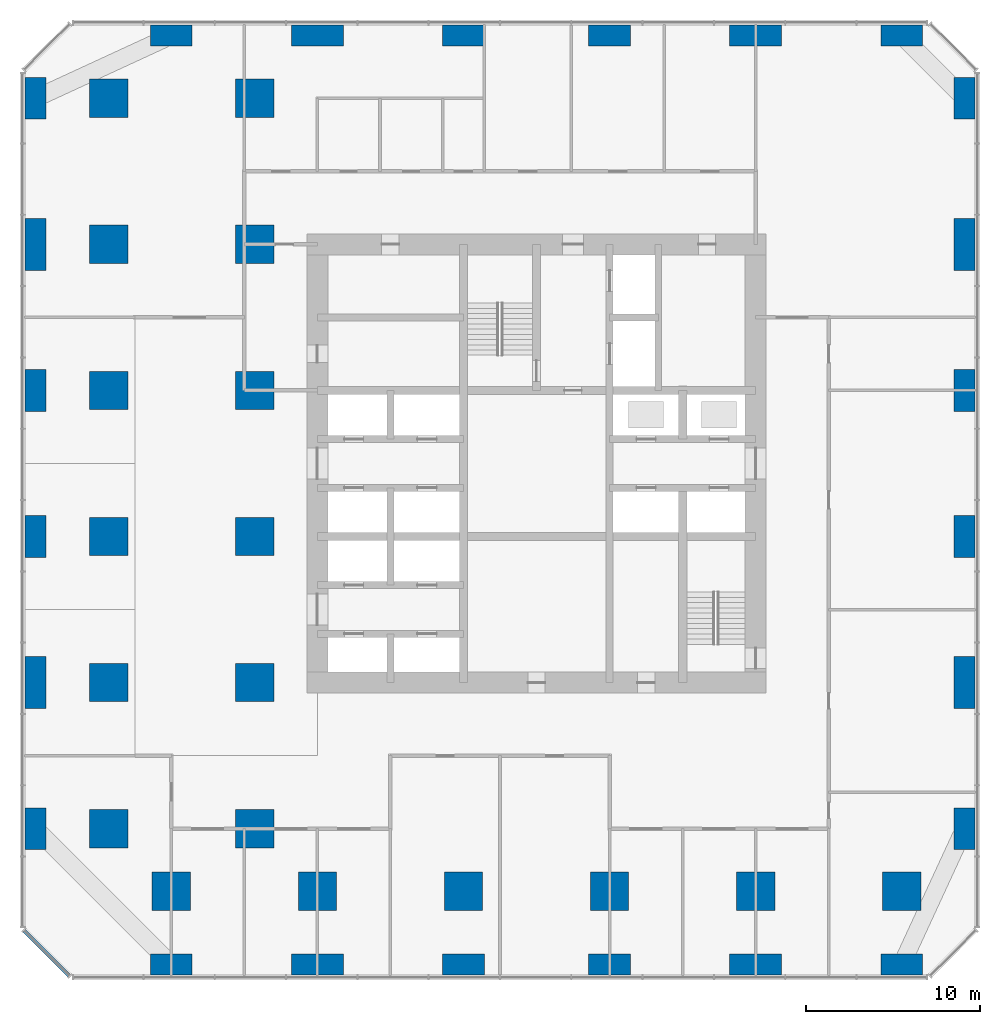
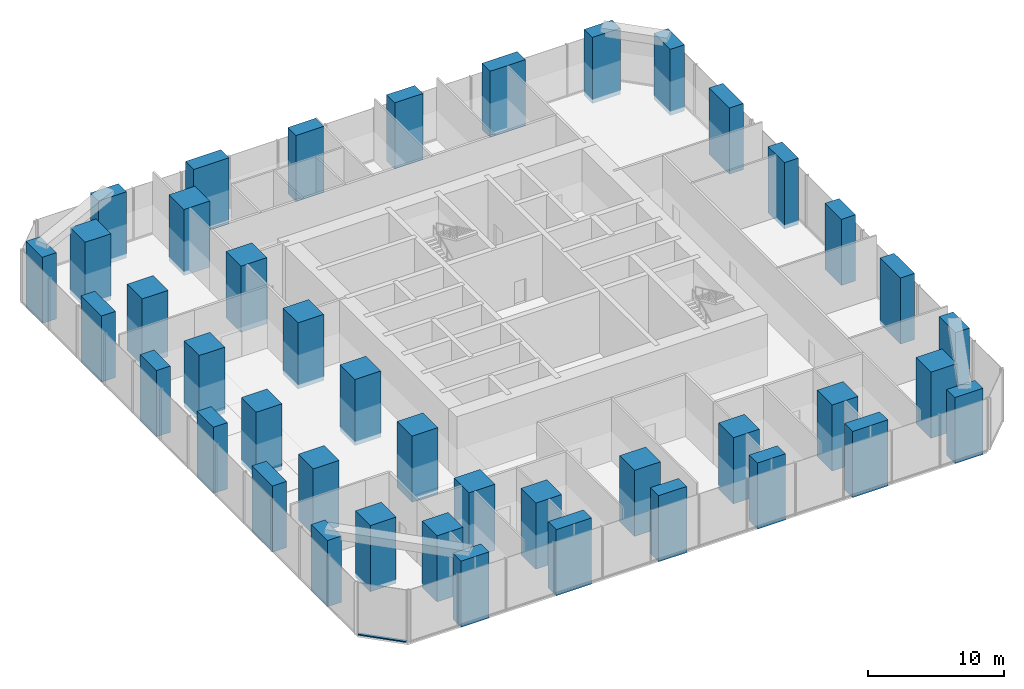
# One storey, part 1 of 13: 42 columns, 1 member, 1 element without a shape of its own.
"""IFC4 building model written with IfcOpenShell, lengths in metres."""

import ifcopenshell
import ifcopenshell.guid

model = None  # the IFC model being written
_history = None  # IfcOwnerHistory: only IFC2X3 demands one
_inside = {}  # id of a spatial element -> (the spatial element, [elements in it])
_under = {}  # id of a project, library or spatial element -> (it, [spatial elements below it])
_declared = {}  # id of a project -> (the project, [libraries it declares])
_typed = {}  # id of a type object -> (the type object, [elements of that type])
_made_of = {}  # id of a material, layer set ... -> (it, [elements and type objects made of it])


def new_model(schema):
    """Start an empty IFC model of exactly this schema.

    Asked for "IFC4X3", IfcOpenShell would pick the latest addendum, in which some entities
    have other attributes; the version numbers below select the first issue.
    IFC2X3 requires an IfcOwnerHistory on every rooted entity: one is made here for all.
    """
    global model, _history
    if schema == "IFC4X3":
        model = ifcopenshell.file(schema_version=(4, 3, 0, 0))
    else:
        model = ifcopenshell.file(schema=schema)
    _inside.clear()
    _under.clear()
    _declared.clear()
    _typed.clear()
    _made_of.clear()
    _history = None
    if model.schema == "IFC2X3":
        org = make("IfcOrganization", Name="unknown")
        user = make(
            "IfcPersonAndOrganization",
            ThePerson=make("IfcPerson", FamilyName="unknown"),
            TheOrganization=org,
        )
        app = make(
            "IfcApplication",
            ApplicationDeveloper=org,
            Version="unknown",
            ApplicationFullName="unknown",
            ApplicationIdentifier="unknown",
        )
        _history = make(
            "IfcOwnerHistory",
            OwningUser=user,
            OwningApplication=app,
            ChangeAction="ADDED",
            CreationDate=0,
        )
    return model


def make(cls, **values):
    """One entity of the class cls with the attributes given. An attribute that is None is left unset."""
    return model.create_entity(
        cls, **{name: value for name, value in values.items() if value is not None}
    )


def rooted(cls, **values):
    """An entity with a GlobalId (a new one), such as an element, a storey or a relation."""
    return make(cls, GlobalId=ifcopenshell.guid.new(), OwnerHistory=_history, **values)


def si_unit(unit_type, name, prefix=None):
    """IfcSIUnit, for example si_unit("LENGTHUNIT", "METRE", prefix="MILLI")."""
    return make("IfcSIUnit", UnitType=unit_type, Prefix=prefix, Name=name)


def assignment(units):
    """IfcUnitAssignment: the units of a project."""
    return None if units is None else make("IfcUnitAssignment", Units=units)


def point(xyz):
    """IfcCartesianPoint."""
    return None if xyz is None else make("IfcCartesianPoint", Coordinates=xyz)


def direction(xyz):
    """IfcDirection."""
    return None if xyz is None else make("IfcDirection", DirectionRatios=xyz)


def frame(location, z_axis=None, x_axis=None):
    """IfcAxis2Placement3D, a coordinate frame: its origin and axes. An axis left out is left unset."""
    return make(
        "IfcAxis2Placement3D",
        Location=point(location),
        Axis=direction(z_axis),
        RefDirection=direction(x_axis),
    )


def frame_2d(location, x_axis=None):
    """IfcAxis2Placement2D, a coordinate frame in the plane: its origin and x axis."""
    return make(
        "IfcAxis2Placement2D", Location=point(location), RefDirection=direction(x_axis)
    )


def origin():
    """The frame at (0, 0, 0) with its axes left unset."""
    return frame((0.0, 0.0, 0.0))


def origin_2d():
    """The frame at (0, 0) in the plane with its x axis left unset."""
    return frame_2d((0.0, 0.0))


def place(relative_to, where):
    """IfcLocalPlacement: puts the frame where relative to a parent placement (None: the world)."""
    return make(
        "IfcLocalPlacement", PlacementRelTo=relative_to, RelativePlacement=where
    )


def context(
    kind, dimensions, precision=None, world=None, true_north=None, identifier=None
):
    """IfcGeometricRepresentationContext, for example the 3D "Model" context."""
    return make(
        "IfcGeometricRepresentationContext",
        ContextIdentifier=identifier,
        ContextType=kind,
        CoordinateSpaceDimension=dimensions,
        Precision=precision,
        WorldCoordinateSystem=world,
        TrueNorth=true_north,
    )


def subcontext(parent, identifier, kind, view, scale=None):
    """IfcGeometricRepresentationSubContext, for example "Body" below "Model"."""
    return make(
        "IfcGeometricRepresentationSubContext",
        ContextIdentifier=identifier,
        ContextType=kind,
        ParentContext=parent,
        TargetScale=scale,
        TargetView=view,
    )


def project(units=None, contexts=None):
    """IfcProject with its units and contexts."""
    return rooted(
        "IfcProject",
        Name="project",
        RepresentationContexts=contexts,
        UnitsInContext=assignment(units),
    )


def spatial(cls, under=None, at=None, **own):
    """A site, building, storey or space (cls), placed at a placement, below another one or the project."""
    s = rooted(cls, ObjectPlacement=at, **own)
    if under is not None:
        _under.setdefault(under.id(), (under, []))[1].append(s)
    return s


def profile(cls, at=None, kind="AREA", **sizes):
    """A parametric profile (cls). Its sizes go by their IFC names, for example OverallWidth=200.0."""
    return make(cls, ProfileType=kind, Position=at, **sizes)


def rectangle(**sizes):
    """IfcRectangleProfileDef."""
    return profile("IfcRectangleProfileDef", **sizes)


def extrude(swept, where, along, depth):
    """IfcExtrudedAreaSolid: the profile swept, set in the frame where, extruded along a direction by depth."""
    return make(
        "IfcExtrudedAreaSolid",
        SweptArea=swept,
        Position=where,
        ExtrudedDirection=direction(along),
        Depth=depth,
    )


def shape(context_of_items, identifier, shape_type, items):
    """IfcShapeRepresentation: the items that make up one representation, for example the "Body"."""
    return make(
        "IfcShapeRepresentation",
        ContextOfItems=context_of_items,
        RepresentationIdentifier=identifier,
        RepresentationType=shape_type,
        Items=items,
    )


def material(Name=None, Category=None):
    """IfcMaterial."""
    return make("IfcMaterial", Name=Name, Category=Category)


def material_profile(
    of_material, cross_section, Name=None, Category=None, Priority=None
):
    """IfcMaterialProfile: a cross section and its material."""
    return make(
        "IfcMaterialProfile",
        Name=Name,
        Material=of_material,
        Profile=cross_section,
        Priority=Priority,
        Category=Category,
    )


def profile_set(profiles, Name=None, composite=None):
    """IfcMaterialProfileSet."""
    return make(
        "IfcMaterialProfileSet",
        Name=Name,
        MaterialProfiles=profiles,
        CompositeProfile=composite,
    )


def made_of(thing, what):
    """Note that an element or type object is made of a material, layer set ...; save() writes the relation."""
    if what is not None:
        _made_of.setdefault(what.id(), (what, []))[1].append(thing)
    return thing


def type_object(cls, material=None, **own):
    """A type object (cls), such as IfcWallType, which elements share."""
    return made_of(rooted(cls, **own), material)


def element(
    cls,
    number,
    at=None,
    inside=None,
    cuts=None,
    type_object=None,
    material=None,
    context=None,
    identifier="Body",
    shape_type=None,
    held_by="IfcProductDefinitionShape",
    body=None,
    shapes=None,
    **own,
):
    """One element of the class cls, such as IfcWall. Its Tag is "e" and its number.

    at: its placement. inside: the storey or other place that contains it. cuts: it is an
    opening in that element (IfcRelVoidsElement). A single representation is given by context,
    identifier, shape_type and body (its items); several are given by shapes. held_by: the class
    of the entity that holds the representations. save() writes the other relations.
    """
    e = rooted(cls, Tag="e%d" % number, ObjectPlacement=at, **own)
    if body is not None:
        shapes = [shape(context, identifier, shape_type, body)]
    if shapes is not None:
        e.Representation = make(held_by, Representations=shapes)
    if inside is not None:
        _inside.setdefault(inside.id(), (inside, []))[1].append(e)
    if cuts is not None:
        rooted(
            "IfcRelVoidsElement", RelatingBuildingElement=cuts, RelatedOpeningElement=e
        )
    if type_object is not None:
        _typed.setdefault(type_object.id(), (type_object, []))[1].append(e)
    return made_of(e, material)


def aggregate(whole, parts):
    """IfcRelAggregates: a whole, such as a stair, and the parts it consists of."""
    return rooted("IfcRelAggregates", RelatingObject=whole, RelatedObjects=parts)


def save(model, path):
    """Write the relations noted so far, then the file.

    IfcRelAggregates (storeys below a building ...), IfcRelContainedInSpatialStructure (elements
    in a storey), IfcRelDefinesByType, IfcRelAssociatesMaterial and IfcRelDeclares: one each for
    every whole, place, type object, material and project.
    """
    for whole, parts in _under.values():
        aggregate(whole, parts)
    for where, things in _inside.values():
        rooted(
            "IfcRelContainedInSpatialStructure",
            RelatedElements=things,
            RelatingStructure=where,
        )
    for kind, things in _typed.values():
        rooted("IfcRelDefinesByType", RelatedObjects=things, RelatingType=kind)
    for what, things in _made_of.values():
        rooted("IfcRelAssociatesMaterial", RelatedObjects=things, RelatingMaterial=what)
    for by, libraries in _declared.values():
        rooted("IfcRelDeclares", RelatingContext=by, RelatedDefinitions=libraries)
    model.write(path)


model = new_model("IFC4")

# Units and contexts
model_context = context("Model", 3, precision=1e-05, world=origin(), true_north=direction((0.0, 1.0)))
body_context = subcontext(model_context, "Body", "Model", "MODEL_VIEW")
ifc_project = project(units=[si_unit("LENGTHUNIT", "METRE"), si_unit("AREAUNIT", "SQUARE_METRE"), si_unit("VOLUMEUNIT", "CUBIC_METRE"), si_unit("PLANEANGLEUNIT", "RADIAN"), si_unit("MASSUNIT", "GRAM", prefix="KILO")], contexts=[model_context])

# Site, building, storey
site_placement = place(None, origin())
site = spatial("IfcSite", under=ifc_project, at=site_placement, CompositionType="ELEMENT")
building_placement = place(site_placement, origin())
building = spatial("IfcBuilding", under=site, at=building_placement, Name="Dunama Terrace Hotel", CompositionType="ELEMENT")
storey_placement = place(building_placement, frame((0.0, 0.0, 147.60009765625)))
storey = spatial("IfcBuildingStorey", under=building, at=storey_placement, Name="L38", CompositionType="ELEMENT", Elevation=147.60009765625)

# Columns
ifc_material_1 = material(Name="Concrete C60/75", Category="concrete")
ifc_material_profile_1 = material_profile(ifc_material_1, rectangle(XDim=1.199951171875, YDim=2.39990234375, at=origin_2d()), Name="RC 1200x2400")
ifc_profile_set_1 = profile_set([ifc_material_profile_1], Name="Concrete C60/75")
column_type_1 = type_object("IfcColumnType", Name="Column RC 1200x2400", PredefinedType="COLUMN", material=ifc_profile_set_1)
for number, where, z_axis, x_axis, name in (
    (1, (0.60009765625, 8.39990234375, -0.35009765625), (0.0, 0.0, 1.0), (1.0, 0.0, 0.0), "Column L38 +0.6/+8.4"),
    (2, (0.60009765625, 25.199951171875, -0.35009765625), (0.0, 0.0, 1.0), (1.0, 0.0, 0.0), "Column L38 +0.6/+25.2"),
    (3, (0.60009765625, 33.60009765625, -0.35009765625), (0.0, 0.0, 1.0), (1.0, 0.0, 0.0), "Column L38 +0.6/+33.6"),
    (4, (0.60009765625, 50.39990234375, -0.35009765625), (0.0, 0.0, 1.0), (1.0, 0.0, 0.0), "Column L38 +0.6/+50.4"),
    (5, (54.0, 8.39990234375, -0.35009765625), (0.0, 0.0, 1.0), (1.0, 0.0, 0.0), "Column L38 +54.0/+8.4"),
    (6, (54.0, 25.199951171875, -0.35009765625), (0.0, 0.0, 1.0), (1.0, 0.0, 0.0), "Column L38 +54.0/+25.2"),
    (7, (54.0, 33.60009765625, -0.35009765625), (0.0, 0.0, 1.0), (1.0, 0.0, 0.0), "Column L38 +54.0/+33.6"),
    (8, (54.0, 50.39990234375, -0.35009765625), (0.0, 0.0, 1.0), (1.0, 0.0, 0.0), "Column L38 +54.0/+50.4"),
):
    element("IfcColumn", number, at=place(storey_placement, frame(where, z_axis=z_axis, x_axis=x_axis)), inside=storey, type_object=column_type_1, Name=name, PredefinedType="COLUMN", context=body_context, shape_type="SweptSolid", body=[
        extrude(rectangle(XDim=1.199951171875, YDim=2.39990234375, at=origin_2d()), origin(), (0.0, 0.0, 1.0), 5.949951171875),
    ])
ifc_material_2 = material(Name="Concrete C60/75", Category="concrete")
ifc_material_profile_2 = material_profile(ifc_material_2, rectangle(XDim=1.199951171875, YDim=3.0, at=origin_2d()), Name="RC 1200x3000")
ifc_profile_set_2 = profile_set([ifc_material_profile_2], Name="Concrete C60/75")
column_type_2 = type_object("IfcColumnType", Name="Column RC 1200x3000", PredefinedType="COLUMN", material=ifc_profile_set_2)
for number, where, z_axis, x_axis, name in (
    (9, (0.60009765625, 16.800048828125, -0.35009765625), (0.0, 0.0, 1.0), (1.0, 0.0, 0.0), "Column L38 +0.6/+16.8"),
    (10, (0.60009765625, 42.0, -0.35009765625), (0.0, 0.0, 1.0), (1.0, 0.0, 0.0), "Column L38 +0.6/+42.0"),
    (11, (54.0, 16.800048828125, -0.35009765625), (0.0, 0.0, 1.0), (1.0, 0.0, 0.0), "Column L38 +54.0/+16.8"),
    (12, (54.0, 42.0, -0.35009765625), (0.0, 0.0, 1.0), (1.0, 0.0, 0.0), "Column L38 +54.0/+42.0"),
):
    element("IfcColumn", number, at=place(storey_placement, frame(where, z_axis=z_axis, x_axis=x_axis)), inside=storey, type_object=column_type_2, Name=name, PredefinedType="COLUMN", context=body_context, shape_type="SweptSolid", body=[
        extrude(rectangle(XDim=1.199951171875, YDim=3.0, at=origin_2d()), origin(), (0.0, 0.0, 1.0), 5.949951171875),
    ])
ifc_material_3 = material(Name="Concrete C60/75", Category="concrete")
ifc_material_profile_3 = material_profile(ifc_material_3, rectangle(XDim=2.199951171875, YDim=2.199951171875, at=origin_2d()), Name="RC 2200x2200")
ifc_profile_set_3 = profile_set([ifc_material_profile_3], Name="Concrete C60/75")
column_type_3 = type_object("IfcColumnType", Name="Column RC 2200x2200", PredefinedType="COLUMN", material=ifc_profile_set_3)
for number, where, z_axis, x_axis, name in (
    (13, (4.800048828125, 8.39990234375, -0.35009765625), (0.0, 0.0, 1.0), (1.0, 0.0, 0.0), "Column L38 +4.8/+8.4"),
    (14, (4.800048828125, 16.800048828125, -0.35009765625), (0.0, 0.0, 1.0), (1.0, 0.0, 0.0), "Column L38 +4.8/+16.8"),
    (15, (4.800048828125, 25.199951171875, -0.35009765625), (0.0, 0.0, 1.0), (1.0, 0.0, 0.0), "Column L38 +4.8/+25.2"),
    (16, (4.800048828125, 33.60009765625, -0.35009765625), (0.0, 0.0, 1.0), (1.0, 0.0, 0.0), "Column L38 +4.8/+33.6"),
    (17, (4.800048828125, 42.0, -0.35009765625), (0.0, 0.0, 1.0), (1.0, 0.0, 0.0), "Column L38 +4.8/+42.0"),
    (18, (4.800048828125, 50.39990234375, -0.35009765625), (0.0, 0.0, 1.0), (1.0, 0.0, 0.0), "Column L38 +4.8/+50.4"),
    (19, (8.39990234375, 4.800048828125, -0.35009765625), (0.0, 0.0, 1.0), (1.0, 0.0, 0.0), "Column L38 +8.4/+4.8"),
    (20, (13.199951171875, 8.39990234375, -0.35009765625), (0.0, 0.0, 1.0), (1.0, 0.0, 0.0), "Column L38 +13.2/+8.4"),
    (21, (13.199951171875, 16.800048828125, -0.35009765625), (0.0, 0.0, 1.0), (1.0, 0.0, 0.0), "Column L38 +13.2/+16.8"),
    (22, (13.199951171875, 25.199951171875, -0.35009765625), (0.0, 0.0, 1.0), (1.0, 0.0, 0.0), "Column L38 +13.2/+25.2"),
    (23, (13.199951171875, 33.60009765625, -0.35009765625), (0.0, 0.0, 1.0), (1.0, 0.0, 0.0), "Column L38 +13.2/+33.6"),
    (24, (13.199951171875, 42.0, -0.35009765625), (0.0, 0.0, 1.0), (1.0, 0.0, 0.0), "Column L38 +13.2/+42.0"),
    (25, (13.199951171875, 50.39990234375, -0.35009765625), (0.0, 0.0, 1.0), (1.0, 0.0, 0.0), "Column L38 +13.2/+50.4"),
    (26, (16.800048828125, 4.800048828125, -0.35009765625), (0.0, 0.0, 1.0), (1.0, 0.0, 0.0), "Column L38 +16.8/+4.8"),
    (27, (25.199951171875, 4.800048828125, -0.35009765625), (0.0, 0.0, 1.0), (1.0, 0.0, 0.0), "Column L38 +25.2/+4.8"),
    (28, (33.60009765625, 4.800048828125, -0.35009765625), (0.0, 0.0, 1.0), (1.0, 0.0, 0.0), "Column L38 +33.6/+4.8"),
    (29, (42.0, 4.800048828125, -0.35009765625), (0.0, 0.0, 1.0), (1.0, 0.0, 0.0), "Column L38 +42.0/+4.8"),
    (30, (50.39990234375, 4.800048828125, -0.35009765625), (0.0, 0.0, 1.0), (1.0, 0.0, 0.0), "Column L38 +50.4/+4.8"),
):
    element("IfcColumn", number, at=place(storey_placement, frame(where, z_axis=z_axis, x_axis=x_axis)), inside=storey, type_object=column_type_3, Name=name, PredefinedType="COLUMN", context=body_context, shape_type="SweptSolid", body=[
        extrude(rectangle(XDim=2.199951171875, YDim=2.199951171875, at=origin_2d()), origin(), (0.0, 0.0, 1.0), 5.949951171875),
    ])
ifc_material_4 = material(Name="Concrete C60/75", Category="concrete")
ifc_material_profile_4 = material_profile(ifc_material_4, rectangle(XDim=2.39990234375, YDim=1.199951171875, at=origin_2d()), Name="RC 2400x1200")
ifc_profile_set_4 = profile_set([ifc_material_profile_4], Name="Concrete C60/75")
column_type_4 = type_object("IfcColumnType", Name="Column RC 2400x1200", PredefinedType="COLUMN", material=ifc_profile_set_4)
for number, where, z_axis, x_axis, name in (
    (31, (8.39990234375, 0.60009765625, -0.35009765625), (0.0, 0.0, 1.0), (1.0, 0.0, 0.0), "Column L38 +8.4/+0.6"),
    (32, (8.39990234375, 54.0, -0.35009765625), (0.0, 0.0, 1.0), (1.0, 0.0, 0.0), "Column L38 +8.4/+54.0"),
    (33, (25.199951171875, 0.60009765625, -0.35009765625), (0.0, 0.0, 1.0), (1.0, 0.0, 0.0), "Column L38 +25.2/+0.6"),
    (34, (25.199951171875, 54.0, -0.35009765625), (0.0, 0.0, 1.0), (1.0, 0.0, 0.0), "Column L38 +25.2/+54.0"),
    (35, (33.60009765625, 0.60009765625, -0.35009765625), (0.0, 0.0, 1.0), (1.0, 0.0, 0.0), "Column L38 +33.6/+0.6"),
    (36, (33.60009765625, 54.0, -0.35009765625), (0.0, 0.0, 1.0), (1.0, 0.0, 0.0), "Column L38 +33.6/+54.0"),
    (37, (50.39990234375, 0.60009765625, -0.35009765625), (0.0, 0.0, 1.0), (1.0, 0.0, 0.0), "Column L38 +50.4/+0.6"),
    (38, (50.39990234375, 54.0, -0.35009765625), (0.0, 0.0, 1.0), (1.0, 0.0, 0.0), "Column L38 +50.4/+54.0"),
):
    element("IfcColumn", number, at=place(storey_placement, frame(where, z_axis=z_axis, x_axis=x_axis)), inside=storey, type_object=column_type_4, Name=name, PredefinedType="COLUMN", context=body_context, shape_type="SweptSolid", body=[
        extrude(rectangle(XDim=2.39990234375, YDim=1.199951171875, at=origin_2d()), origin(), (0.0, 0.0, 1.0), 5.949951171875),
    ])
ifc_material_5 = material(Name="Concrete C60/75", Category="concrete")
ifc_material_profile_5 = material_profile(ifc_material_5, rectangle(XDim=3.0, YDim=1.199951171875, at=origin_2d()), Name="RC 3000x1200")
ifc_profile_set_5 = profile_set([ifc_material_profile_5], Name="Concrete C60/75")
column_type_5 = type_object("IfcColumnType", Name="Column RC 3000x1200", PredefinedType="COLUMN", material=ifc_profile_set_5)
for number, where, z_axis, x_axis, name in (
    (39, (16.800048828125, 0.60009765625, -0.35009765625), (0.0, 0.0, 1.0), (1.0, 0.0, 0.0), "Column L38 +16.8/+0.6"),
    (40, (16.800048828125, 54.0, -0.35009765625), (0.0, 0.0, 1.0), (1.0, 0.0, 0.0), "Column L38 +16.8/+54.0"),
    (41, (42.0, 0.60009765625, -0.35009765625), (0.0, 0.0, 1.0), (1.0, 0.0, 0.0), "Column L38 +42.0/+0.6"),
    (42, (42.0, 54.0, -0.35009765625), (0.0, 0.0, 1.0), (1.0, 0.0, 0.0), "Column L38 +42.0/+54.0"),
):
    element("IfcColumn", number, at=place(storey_placement, frame(where, z_axis=z_axis, x_axis=x_axis)), inside=storey, type_object=column_type_5, Name=name, PredefinedType="COLUMN", context=body_context, shape_type="SweptSolid", body=[
        extrude(rectangle(XDim=3.0, YDim=1.199951171875, at=origin_2d()), origin(), (0.0, 0.0, 1.0), 5.949951171875),
    ])

# Curtain wall, member
ifc_material_6 = material(Name="Aluminium curtain wall system", Category="aluminium")
curtain_wall_type = type_object("IfcCurtainWallType", Name="Sky lobby glazing CW-F", PredefinedType="NOTDEFINED", material=ifc_material_6)
curtain_wall_placement = place(storey_placement, origin())
curtain_wall = element("IfcCurtainWall", 43, at=curtain_wall_placement, inside=storey, type_object=curtain_wall_type, Name="Sky lobby glazing CW-F L38", PredefinedType="NOTDEFINED")
ifc_material_7 = material(Name="Aluminium transom", Category="aluminium")
ifc_material_profile_6 = material_profile(ifc_material_7, rectangle(XDim=0.219970703125, YDim=0.10009765625, at=origin_2d()), Name="CWF TRANSOM 220X100")
ifc_profile_set_6 = profile_set([ifc_material_profile_6], Name="Aluminium transom")
member_type = type_object("IfcMemberType", Name="CWF transom 220x100", PredefinedType="USERDEFINED", material=ifc_profile_set_6)
member_placement = place(storey_placement, frame((-0.049072265625, 2.537109375, 0.0498046875), z_axis=(0.707106781187, -0.707106781187, 0.0), x_axis=(0.707106781187, 0.707106781187, 0.0)))
member = element("IfcMember", 44, at=member_placement, type_object=member_type, Name="CWF transom", ObjectType="TRANSOM", PredefinedType="USERDEFINED", context=body_context, shape_type="SweptSolid", body=[
    extrude(rectangle(XDim=0.219970703125, YDim=0.10009765625, at=origin_2d()), origin(), (0.0, 0.0, 1.0), 3.657470703125),
])
aggregate(curtain_wall, [member])

save(model, "model.ifc")
